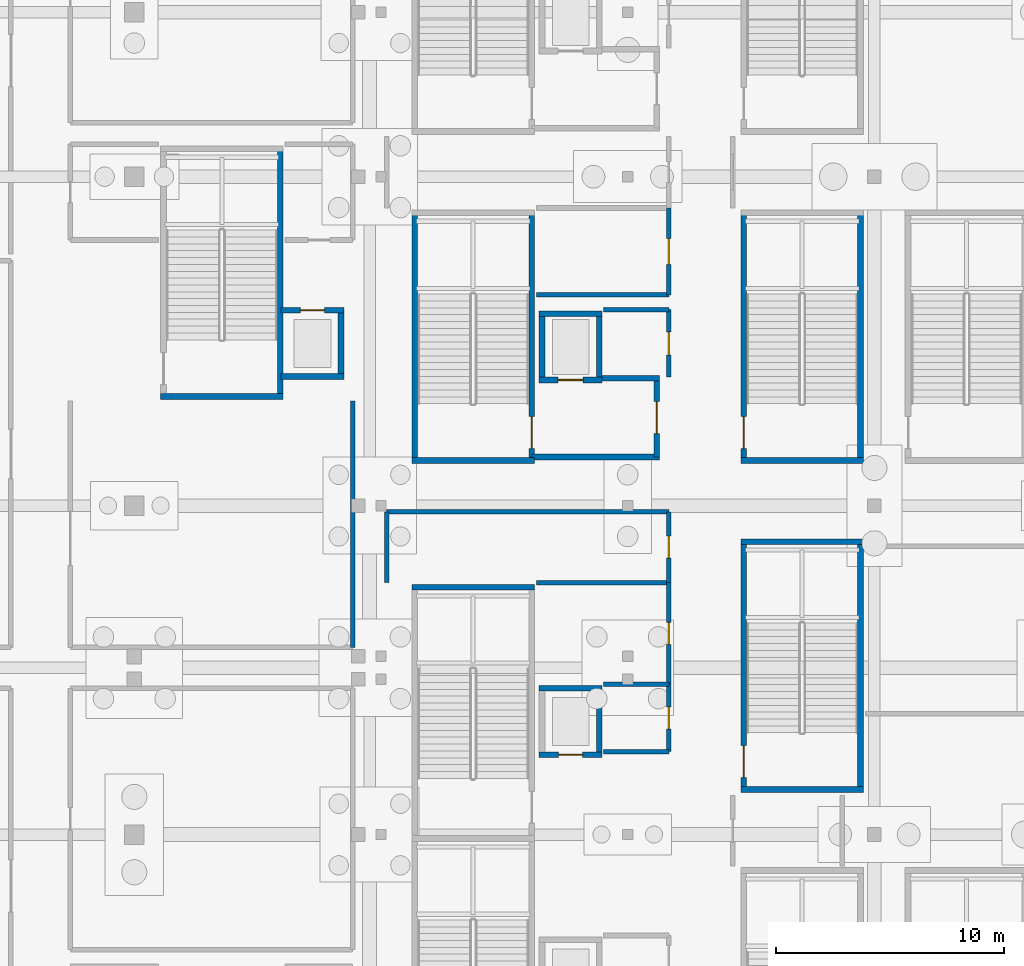
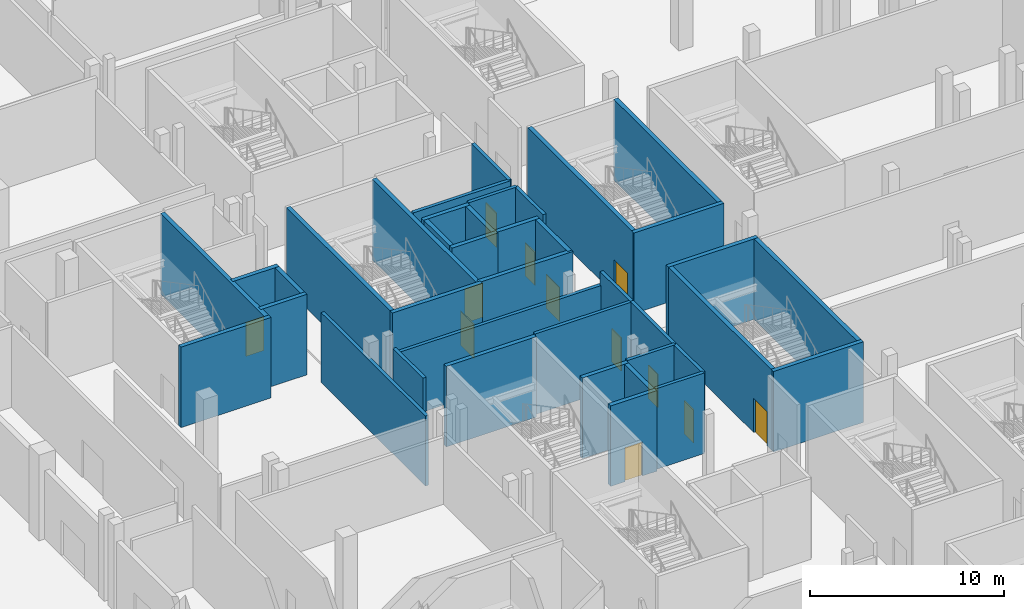
# One storey, part 36 of 89: 39 walls, 12 doors, 12 openings.
"""IFC4 building model written with IfcOpenShell, lengths in metres."""

from ifc_helpers import new_model, si_unit, direction, frame, frame_2d, origin, place, context, subcontext, project, spatial, rectangle, extrude, material, layer, layer_set, type_object, element, fill, save


model = new_model("IFC4")

# Units and contexts
model_context = context("Model", 3, precision=1e-05, world=origin(), true_north=direction((0.0, 1.0)))
body_context = subcontext(model_context, "Body", "Model", "MODEL_VIEW")
ifc_project = project(units=[si_unit("LENGTHUNIT", "METRE"), si_unit("AREAUNIT", "SQUARE_METRE"), si_unit("VOLUMEUNIT", "CUBIC_METRE"), si_unit("PLANEANGLEUNIT", "RADIAN"), si_unit("MASSUNIT", "GRAM", prefix="KILO")], contexts=[model_context])

# Site, building, storey
site_placement = place(None, origin())
site = spatial("IfcSite", under=ifc_project, at=site_placement, CompositionType="ELEMENT")
building_placement = place(site_placement, origin())
building = spatial("IfcBuilding", under=site, at=building_placement, Name="Koshinbarg Plaza Stadium", CompositionType="ELEMENT")
storey_placement = place(building_placement, origin())
storey = spatial("IfcBuildingStorey", under=building, at=storey_placement, Name="L00", CompositionType="ELEMENT", Elevation=0.0)

# Walls
ifc_material_1 = material(Name="Concrete C40/50", Category="concrete")
ifc_layer_1 = layer(ifc_material_1, 0.25)
ifc_layer_set_1 = layer_set([ifc_layer_1], Name="Concrete C40/50")
wall_type_1 = type_object("IfcWallType", Name="WL-CORE-250", PredefinedType="SHEAR", material=ifc_layer_set_1)
for number, where, z_axis, x_axis, name in (
    (1, (31.320068359375, 79.52490234375, 0.0), (0.0, 0.0, 1.0), (-1.0, 0.0, 0.0), "L00 core stair shear wall C04-far IWL-L00-0085"),
    (2, (25.949951171875, 85.074951171875, 0.0), (0.0, 0.0, 1.0), (1.0, 0.0, 0.0), "L00 core stair shear wall C05-near IWL-L00-0106"),
):
    element("IfcWall", number, at=place(storey_placement, frame(where, z_axis=z_axis, x_axis=x_axis)), inside=storey, type_object=wall_type_1, Name=name, PredefinedType="SHEAR", context=body_context, shape_type="SweptSolid", body=[
        extrude(rectangle(XDim=5.3701171875, YDim=0.25, at=frame_2d((2.68505859375, 0.0))), origin(), (0.0, 0.0, 1.0), 5.080078125),
    ])
wall_1_placement = place(storey_placement, frame((26.074951171875, 85.074951171875, 0.0), z_axis=(0.0, 0.0, 1.0), x_axis=(0.0, 1.0, 0.0)))
element("IfcWall", 3, at=wall_1_placement, inside=storey, type_object=wall_type_1, Name="L00 core stair shear wall C05-left IWL-L00-0108", PredefinedType="SHEAR", context=body_context, shape_type="SweptSolid", body=[
    extrude(rectangle(XDim=10.85009765625, YDim=0.25, at=frame_2d((5.425048828125, 0.0))), origin(), (0.0, 0.0, 1.0), 5.080078125),
])

# Wall, opening, door
wall_2_placement = place(storey_placement, frame((31.195068359375, 85.074951171875, 0.0), z_axis=(0.0, 0.0, 1.0), x_axis=(0.0, 1.0, 0.0)))
wall_2 = element("IfcWall", 4, at=wall_2_placement, inside=storey, type_object=wall_type_1, Name="L00 core stair shear wall C05-right IWL-L00-0109", PredefinedType="SHEAR", context=body_context, shape_type="SweptSolid", body=[
    extrude(rectangle(XDim=10.85009765625, YDim=0.25, at=frame_2d((5.425048828125, 0.0))), origin(), (0.0, 0.0, 1.0), 5.080078125),
])
opening_1_placement = place(wall_2_placement, frame((0.52001953125, 0.0, 0.0)))
opening_1 = element("IfcOpeningElement", 5, at=opening_1_placement, cuts=wall_2, Name="Opening D-0089", PredefinedType="OPENING", context=body_context, shape_type="SweptSolid", body=[
    extrude(rectangle(XDim=1.39990234375, YDim=2.14990234375, at=frame_2d((0.699951171875, 1.074951171875))), frame((0.0, 0.135009765625, 0.0), z_axis=(0.0, -1.0, 0.0), x_axis=(1.0, 0.0, 0.0)), (0.0, 0.0, 1.0), 0.27001953125),
])
ifc_material_2 = material(Name="Painted galvanized steel fire door", Category="steel")
door_type_1 = type_object("IfcDoorType", Name="DR-STAIR-1400", OperationType="NOTDEFINED", PredefinedType="DOOR", material=ifc_material_2)
door_1_placement = place(opening_1_placement, frame((1.39990234375, 0.0, 0.0), z_axis=(0.0, 0.0, 1.0), x_axis=(-1.0, 0.0, 0.0)))
door_1 = element("IfcDoor", 6, at=door_1_placement, inside=storey, type_object=door_type_1, Name="L00 exit stair door C05", OperationType="SINGLE_SWING_LEFT", OverallHeight=2.14990234375, OverallWidth=1.39990234375, PredefinedType="DOOR", context=body_context, shape_type="SweptSolid", body=[
    extrude(rectangle(XDim=1.39990234375, YDim=2.14990234375, at=frame_2d((0.699951171875, 1.074951171875))), frame((0.0, 0.02490234375, 0.0), z_axis=(0.0, -1.0, 0.0), x_axis=(1.0, 0.0, 0.0)), (0.0, 0.0, 1.0), 0.050048828125),
])
fill(opening_1, door_1)

# Walls
wall_3_placement = place(storey_placement, frame((14.949951171875, 87.875, 0.0), z_axis=(0.0, 0.0, 1.0), x_axis=(1.0, 0.0, 0.0)))
element("IfcWall", 7, at=wall_3_placement, inside=storey, type_object=wall_type_1, Name="L00 core stair shear wall C15-near IWL-L00-0330", PredefinedType="SHEAR", context=body_context, shape_type="SweptSolid", body=[
    extrude(rectangle(XDim=5.3701171875, YDim=0.25, at=frame_2d((2.68505859375, 0.0))), origin(), (0.0, 0.0, 1.0), 5.080078125),
])
wall_4_placement = place(storey_placement, frame((20.195068359375, 87.875, 0.0), z_axis=(0.0, 0.0, 1.0), x_axis=(0.0, 1.0, 0.0)))
element("IfcWall", 8, at=wall_4_placement, inside=storey, type_object=wall_type_1, Name="L00 core stair shear wall C15-right IWL-L00-0333", PredefinedType="SHEAR", context=body_context, shape_type="SweptSolid", body=[
    extrude(rectangle(XDim=10.85009765625, YDim=0.25, at=frame_2d((5.425048828125, 0.0))), origin(), (0.0, 0.0, 1.0), 5.080078125),
])
for number, where, z_axis, x_axis, name in (
    (9, (40.35009765625, 70.675048828125, 0.0), (0.0, 0.0, 1.0), (1.0, 0.0, 0.0), "L00 vomitory stair shear wall VX04-near IWL-L00-0402"),
    (10, (45.719970703125, 81.52490234375, 0.0), (0.0, 0.0, 1.0), (-1.0, 0.0, 0.0), "L00 vomitory stair shear wall VX04-far IWL-L00-0403"),
):
    element("IfcWall", number, at=place(storey_placement, frame(where, z_axis=z_axis, x_axis=x_axis)), inside=storey, type_object=wall_type_1, Name=name, PredefinedType="SHEAR", context=body_context, shape_type="SweptSolid", body=[
        extrude(rectangle(XDim=5.369873046875, YDim=0.25, at=frame_2d((2.68505859375, 0.0))), origin(), (0.0, 0.0, 1.0), 5.080078125),
    ])

# Wall, opening, door
wall_5_placement = place(storey_placement, frame((40.47509765625, 70.675048828125, 0.0), z_axis=(0.0, 0.0, 1.0), x_axis=(0.0, 1.0, 0.0)))
wall_5 = element("IfcWall", 11, at=wall_5_placement, inside=storey, type_object=wall_type_1, Name="L00 vomitory stair shear wall VX04-left IWL-L00-0404", PredefinedType="SHEAR", context=body_context, shape_type="SweptSolid", body=[
    extrude(rectangle(XDim=10.849853515625, YDim=0.25, at=frame_2d((5.4248046875, 0.0))), origin(), (0.0, 0.0, 1.0), 5.080078125),
])
opening_2_placement = place(wall_5_placement, frame((0.52001953125, 0.0, 0.0)))
opening_2 = element("IfcOpeningElement", 12, at=opening_2_placement, cuts=wall_5, Name="Opening D-0163", PredefinedType="OPENING", context=body_context, shape_type="SweptSolid", body=[
    extrude(rectangle(XDim=1.39990234375, YDim=2.14990234375, at=frame_2d((0.699951171875, 1.074951171875))), frame((0.0, 0.135009765625, 0.0), z_axis=(0.0, -1.0, 0.0), x_axis=(1.0, 0.0, 0.0)), (0.0, 0.0, 1.0), 0.27001953125),
])
door_2_placement = place(opening_2_placement, origin())
door_2 = element("IfcDoor", 13, at=door_2_placement, inside=storey, type_object=door_type_1, Name="L00 vomitory exit stair door VX04", OperationType="SINGLE_SWING_LEFT", OverallHeight=2.14990234375, OverallWidth=1.39990234375, PredefinedType="DOOR", context=body_context, shape_type="SweptSolid", body=[
    extrude(rectangle(XDim=1.39990234375, YDim=2.14990234375, at=frame_2d((0.699951171875, 1.074951171875))), frame((0.0, 0.02490234375, 0.0), z_axis=(0.0, -1.0, 0.0), x_axis=(1.0, 0.0, 0.0)), (0.0, 0.0, 1.0), 0.050048828125),
])
fill(opening_2, door_2)

# Walls
wall_6_placement = place(storey_placement, frame((45.594970703125, 70.675048828125, 0.0), z_axis=(0.0, 0.0, 1.0), x_axis=(0.0, 1.0, 0.0)))
element("IfcWall", 14, at=wall_6_placement, inside=storey, type_object=wall_type_1, Name="L00 vomitory stair shear wall VX04-right IWL-L00-0405", PredefinedType="SHEAR", context=body_context, shape_type="SweptSolid", body=[
    extrude(rectangle(XDim=10.849853515625, YDim=0.25, at=frame_2d((5.4248046875, 0.0))), origin(), (0.0, 0.0, 1.0), 5.080078125),
])
wall_7_placement = place(storey_placement, frame((40.35009765625, 85.074951171875, 0.0), z_axis=(0.0, 0.0, 1.0), x_axis=(1.0, 0.0, 0.0)))
element("IfcWall", 15, at=wall_7_placement, inside=storey, type_object=wall_type_1, Name="L00 vomitory stair shear wall VX05-near IWL-L00-0418", PredefinedType="SHEAR", context=body_context, shape_type="SweptSolid", body=[
    extrude(rectangle(XDim=5.369873046875, YDim=0.25, at=frame_2d((2.68505859375, 0.0))), origin(), (0.0, 0.0, 1.0), 5.080078125),
])

# Wall, opening, door
wall_8_placement = place(storey_placement, frame((40.47509765625, 85.074951171875, 0.0), z_axis=(0.0, 0.0, 1.0), x_axis=(0.0, 1.0, 0.0)))
wall_8 = element("IfcWall", 16, at=wall_8_placement, inside=storey, type_object=wall_type_1, Name="L00 vomitory stair shear wall VX05-left IWL-L00-0420", PredefinedType="SHEAR", context=body_context, shape_type="SweptSolid", body=[
    extrude(rectangle(XDim=10.85009765625, YDim=0.25, at=frame_2d((5.425048828125, 0.0))), origin(), (0.0, 0.0, 1.0), 5.080078125),
])
opening_3_placement = place(wall_8_placement, frame((0.52001953125, 0.0, 0.0)))
opening_3 = element("IfcOpeningElement", 17, at=opening_3_placement, cuts=wall_8, Name="Opening D-0167", PredefinedType="OPENING", context=body_context, shape_type="SweptSolid", body=[
    extrude(rectangle(XDim=1.39990234375, YDim=2.14990234375, at=frame_2d((0.699951171875, 1.074951171875))), frame((0.0, 0.135009765625, 0.0), z_axis=(0.0, -1.0, 0.0), x_axis=(1.0, 0.0, 0.0)), (0.0, 0.0, 1.0), 0.27001953125),
])
door_3_placement = place(opening_3_placement, origin())
door_3 = element("IfcDoor", 18, at=door_3_placement, inside=storey, type_object=door_type_1, Name="L00 vomitory exit stair door VX05", OperationType="SINGLE_SWING_RIGHT", OverallHeight=2.14990234375, OverallWidth=1.39990234375, PredefinedType="DOOR", context=body_context, shape_type="SweptSolid", body=[
    extrude(rectangle(XDim=1.39990234375, YDim=2.14990234375, at=frame_2d((0.699951171875, 1.074951171875))), frame((0.0, 0.02490234375, 0.0), z_axis=(0.0, -1.0, 0.0), x_axis=(1.0, 0.0, 0.0)), (0.0, 0.0, 1.0), 0.050048828125),
])
fill(opening_3, door_3)

# Wall
wall_9_placement = place(storey_placement, frame((45.594970703125, 85.074951171875, 0.0), z_axis=(0.0, 0.0, 1.0), x_axis=(0.0, 1.0, 0.0)))
element("IfcWall", 19, at=wall_9_placement, inside=storey, type_object=wall_type_1, Name="L00 vomitory stair shear wall VX05-right IWL-L00-0421", PredefinedType="SHEAR", context=body_context, shape_type="SweptSolid", body=[
    extrude(rectangle(XDim=10.85009765625, YDim=0.25, at=frame_2d((5.425048828125, 0.0))), origin(), (0.0, 0.0, 1.0), 5.080078125),
])

# Wall, opening, door
wall_10_placement = place(storey_placement, frame((31.52490234375, 72.199951171875, 0.0), z_axis=(0.0, 0.0, 1.0), x_axis=(1.0, 0.0, 0.0)))
wall_10 = element("IfcWall", 20, at=wall_10_placement, inside=storey, type_object=wall_type_1, Name="L00 lift shaft shear wall LP02-S IWL-L00-0736", PredefinedType="SHEAR", context=body_context, shape_type="SweptSolid", body=[
    extrude(rectangle(XDim=2.75, YDim=0.25, at=frame_2d((1.375, 0.0))), origin(), (0.0, 0.0, 1.0), 5.080078125),
])
opening_4_placement = place(wall_10_placement, frame((0.85009765625, 0.0, 0.0)))
opening_4 = element("IfcOpeningElement", 21, at=opening_4_placement, cuts=wall_10, Name="Opening D-0250", PredefinedType="OPENING", context=body_context, shape_type="SweptSolid", body=[
    extrude(rectangle(XDim=1.050048828125, YDim=2.14990234375, at=frame_2d((0.52490234375, 1.074951171875))), frame((0.0, 0.135009765625, 0.0), z_axis=(0.0, -1.0, 0.0), x_axis=(1.0, 0.0, 0.0)), (0.0, 0.0, 1.0), 0.27001953125),
])
ifc_material_3 = material(Name="Brushed stainless steel sliding lift landing door", Category="steel")
door_type_2 = type_object("IfcDoorType", Name="DR-LIFT-1050", OperationType="NOTDEFINED", PredefinedType="DOOR", material=ifc_material_3)
door_4_placement = place(opening_4_placement, origin())
door_4 = element("IfcDoor", 22, at=door_4_placement, inside=storey, type_object=door_type_2, Name="L00 lift landing door LP02", OperationType="SLIDING_TO_LEFT", OverallHeight=2.14990234375, OverallWidth=1.050048828125, PredefinedType="DOOR", context=body_context, shape_type="SweptSolid", body=[
    extrude(rectangle(XDim=1.050048828125, YDim=2.14990234375, at=frame_2d((0.52490234375, 1.074951171875))), frame((0.0, 0.02490234375, 0.0), z_axis=(0.0, -1.0, 0.0), x_axis=(1.0, 0.0, 0.0)), (0.0, 0.0, 1.0), 0.050048828125),
])
fill(opening_4, door_4)

# Walls
wall_11_placement = place(storey_placement, frame((34.27490234375, 75.10009765625, 0.0), z_axis=(0.0, 0.0, 1.0), x_axis=(-1.0, 0.0, 0.0)))
element("IfcWall", 23, at=wall_11_placement, inside=storey, type_object=wall_type_1, Name="L00 lift shaft shear wall LP02-N IWL-L00-0737", PredefinedType="SHEAR", context=body_context, shape_type="SweptSolid", body=[
    extrude(rectangle(XDim=2.75, YDim=0.25, at=frame_2d((1.375, 0.0))), origin(), (0.0, 0.0, 1.0), 5.080078125),
])
wall_12_placement = place(storey_placement, frame((34.14990234375, 72.199951171875, 0.0), z_axis=(0.0, 0.0, 1.0), x_axis=(0.0, 1.0, 0.0)))
element("IfcWall", 24, at=wall_12_placement, inside=storey, type_object=wall_type_1, Name="L00 lift shaft shear wall LP02-E IWL-L00-0739", PredefinedType="SHEAR", context=body_context, shape_type="SweptSolid", body=[
    extrude(rectangle(XDim=2.900146484375, YDim=0.25, at=frame_2d((1.4501953125, 0.0))), origin(), (0.0, 0.0, 1.0), 5.080078125),
])

# Wall, opening, door
wall_13_placement = place(storey_placement, frame((31.52490234375, 88.60009765625, 0.0), z_axis=(0.0, 0.0, 1.0), x_axis=(1.0, 0.0, 0.0)))
wall_13 = element("IfcWall", 25, at=wall_13_placement, inside=storey, type_object=wall_type_1, Name="L00 lift shaft shear wall FL03-S IWL-L00-0764", PredefinedType="SHEAR", context=body_context, shape_type="SweptSolid", body=[
    extrude(rectangle(XDim=2.75, YDim=0.25, at=frame_2d((1.375, 0.0))), origin(), (0.0, 0.0, 1.0), 5.080078125),
])
opening_5_placement = place(wall_13_placement, frame((0.824951171875, 0.0, 0.0)))
opening_5 = element("IfcOpeningElement", 26, at=opening_5_placement, cuts=wall_13, Name="Opening D-0257", PredefinedType="OPENING", context=body_context, shape_type="SweptSolid", body=[
    extrude(rectangle(XDim=1.10009765625, YDim=2.14990234375, at=frame_2d((0.550048828125, 1.074951171875))), frame((0.0, 0.135009765625, 0.0), z_axis=(0.0, -1.0, 0.0), x_axis=(1.0, 0.0, 0.0)), (0.0, 0.0, 1.0), 0.27001953125),
])
door_type_3 = type_object("IfcDoorType", Name="DR-LIFT-1100", OperationType="NOTDEFINED", PredefinedType="DOOR", material=ifc_material_3)
door_5_placement = place(opening_5_placement, origin())
door_5 = element("IfcDoor", 27, at=door_5_placement, inside=storey, type_object=door_type_3, Name="L00 lift landing door FL03", OperationType="SLIDING_TO_RIGHT", OverallHeight=2.14990234375, OverallWidth=1.10009765625, PredefinedType="DOOR", context=body_context, shape_type="SweptSolid", body=[
    extrude(rectangle(XDim=1.10009765625, YDim=2.14990234375, at=frame_2d((0.550048828125, 1.074951171875))), frame((0.0, 0.02490234375, 0.0), z_axis=(0.0, -1.0, 0.0), x_axis=(1.0, 0.0, 0.0)), (0.0, 0.0, 1.0), 0.050048828125),
])
fill(opening_5, door_5)

# Walls
wall_14_placement = place(storey_placement, frame((34.27490234375, 91.5, 0.0), z_axis=(0.0, 0.0, 1.0), x_axis=(-1.0, 0.0, 0.0)))
element("IfcWall", 28, at=wall_14_placement, inside=storey, type_object=wall_type_1, Name="L00 lift shaft shear wall FL03-N IWL-L00-0765", PredefinedType="SHEAR", context=body_context, shape_type="SweptSolid", body=[
    extrude(rectangle(XDim=2.75, YDim=0.25, at=frame_2d((1.375, 0.0))), origin(), (0.0, 0.0, 1.0), 5.080078125),
])
for number, where, z_axis, x_axis, name in (
    (29, (31.64990234375, 91.5, 0.0), (0.0, 0.0, 1.0), (0.0, -1.0, 0.0), "L00 lift shaft shear wall FL03-W IWL-L00-0766"),
    (30, (34.14990234375, 88.60009765625, 0.0), (0.0, 0.0, 1.0), (0.0, 1.0, 0.0), "L00 lift shaft shear wall FL03-E IWL-L00-0767"),
):
    element("IfcWall", number, at=place(storey_placement, frame(where, z_axis=z_axis, x_axis=x_axis)), inside=storey, type_object=wall_type_1, Name=name, PredefinedType="SHEAR", context=body_context, shape_type="SweptSolid", body=[
        extrude(rectangle(XDim=2.89990234375, YDim=0.25, at=frame_2d((1.449951171875, 0.0))), origin(), (0.0, 0.0, 1.0), 5.080078125),
    ])

# Wall, opening, door
wall_15_placement = place(storey_placement, frame((36.675048828125, 85.22509765625, 0.0), z_axis=(0.0, 0.0, 1.0), x_axis=(0.0, 1.0, 0.0)))
wall_15 = element("IfcWall", 31, at=wall_15_placement, inside=storey, type_object=wall_type_1, Name="L00 firefighting lobby wall C05-E IWL-L00-0768", PredefinedType="SHEAR", context=body_context, shape_type="SweptSolid", body=[
    extrude(rectangle(XDim=3.449951171875, YDim=0.25, at=frame_2d((1.72509765625, 0.0))), origin(), (0.0, 0.0, 1.0), 5.080078125),
])
opening_6_placement = place(wall_15_placement, frame((1.02490234375, 0.0, 0.0)))
opening_6 = element("IfcOpeningElement", 32, at=opening_6_placement, cuts=wall_15, Name="Opening D-0258", PredefinedType="OPENING", context=body_context, shape_type="SweptSolid", body=[
    extrude(rectangle(XDim=1.39990234375, YDim=2.14990234375, at=frame_2d((0.699951171875, 1.074951171875))), frame((0.0, 0.135009765625, 0.0), z_axis=(0.0, -1.0, 0.0), x_axis=(1.0, 0.0, 0.0)), (0.0, 0.0, 1.0), 0.27001953125),
])
ifc_material_4 = material(Name="Smoke-sealed steel firefighting lobby door", Category="steel")
door_type_4 = type_object("IfcDoorType", Name="DR-FFLOB-1400", OperationType="NOTDEFINED", PredefinedType="DOOR", material=ifc_material_4)
door_6_placement = place(opening_6_placement, origin())
door_6 = element("IfcDoor", 33, at=door_6_placement, inside=storey, type_object=door_type_4, Name="L00 firefighting lobby fire door C05", OperationType="DOUBLE_DOOR_SINGLE_SWING", OverallHeight=2.14990234375, OverallWidth=1.39990234375, PredefinedType="DOOR", context=body_context, shape_type="SweptSolid", body=[
    extrude(rectangle(XDim=1.39990234375, YDim=2.14990234375, at=frame_2d((0.699951171875, 1.074951171875))), frame((0.0, 0.02490234375, 0.0), z_axis=(0.0, -1.0, 0.0), x_axis=(1.0, 0.0, 0.0)), (0.0, 0.0, 1.0), 0.050048828125),
])
fill(opening_6, door_6)

# Walls
wall_16_placement = place(storey_placement, frame((34.27490234375, 88.675048828125, 0.0), z_axis=(0.0, 0.0, 1.0), x_axis=(1.0, 0.0, 0.0)))
element("IfcWall", 34, at=wall_16_placement, inside=storey, type_object=wall_type_1, Name="L00 firefighting lobby wall C05-NE IWL-L00-0769", PredefinedType="SHEAR", context=body_context, shape_type="SweptSolid", body=[
    extrude(rectangle(XDim=2.525146484375, YDim=0.25, at=frame_2d((1.2626953125, 0.0))), origin(), (0.0, 0.0, 1.0), 5.080078125),
])
wall_17_placement = place(storey_placement, frame((31.199951171875, 85.22509765625, 0.0), z_axis=(0.0, 0.0, 1.0), x_axis=(1.0, 0.0, 0.0)))
element("IfcWall", 35, at=wall_17_placement, inside=storey, type_object=wall_type_1, Name="L00 firefighting lobby wall C05-S IWL-L00-0770", PredefinedType="SHEAR", context=body_context, shape_type="SweptSolid", body=[
    extrude(rectangle(XDim=5.60009765625, YDim=0.25, at=frame_2d((2.800048828125, 0.0))), origin(), (0.0, 0.0, 1.0), 5.080078125),
])
wall_18_placement = place(storey_placement, frame((20.22509765625, 88.75, 0.0), z_axis=(0.0, 0.0, 1.0), x_axis=(1.0, 0.0, 0.0)))
element("IfcWall", 36, at=wall_18_placement, inside=storey, type_object=wall_type_1, Name="L00 lift shaft shear wall LP11-S IWL-L00-1030", PredefinedType="SHEAR", context=body_context, shape_type="SweptSolid", body=[
    extrude(rectangle(XDim=2.75, YDim=0.25, at=frame_2d((1.375, 0.0))), origin(), (0.0, 0.0, 1.0), 5.080078125),
])

# Wall, opening, door
wall_19_placement = place(storey_placement, frame((22.97509765625, 91.64990234375, 0.0), z_axis=(0.0, 0.0, 1.0), x_axis=(-1.0, 0.0, 0.0)))
wall_19 = element("IfcWall", 37, at=wall_19_placement, inside=storey, type_object=wall_type_1, Name="L00 lift shaft shear wall LP11-N IWL-L00-1031", PredefinedType="SHEAR", context=body_context, shape_type="SweptSolid", body=[
    extrude(rectangle(XDim=2.75, YDim=0.25, at=frame_2d((1.375, 0.0))), origin(), (0.0, 0.0, 1.0), 5.080078125),
])
opening_7_placement = place(wall_19_placement, frame((0.85009765625, 0.0, 0.0)))
opening_7 = element("IfcOpeningElement", 38, at=opening_7_placement, cuts=wall_19, Name="Opening D-0327", PredefinedType="OPENING", context=body_context, shape_type="SweptSolid", body=[
    extrude(rectangle(XDim=1.050048828125, YDim=2.14990234375, at=frame_2d((0.52490234375, 1.074951171875))), frame((0.0, 0.135009765625, 0.0), z_axis=(0.0, -1.0, 0.0), x_axis=(1.0, 0.0, 0.0)), (0.0, 0.0, 1.0), 0.27001953125),
])
door_7_placement = place(opening_7_placement, origin())
door_7 = element("IfcDoor", 39, at=door_7_placement, inside=storey, type_object=door_type_2, Name="L00 lift landing door LP11", OperationType="SLIDING_TO_RIGHT", OverallHeight=2.14990234375, OverallWidth=1.050048828125, PredefinedType="DOOR", context=body_context, shape_type="SweptSolid", body=[
    extrude(rectangle(XDim=1.050048828125, YDim=2.14990234375, at=frame_2d((0.52490234375, 1.074951171875))), frame((0.0, 0.02490234375, 0.0), z_axis=(0.0, -1.0, 0.0), x_axis=(1.0, 0.0, 0.0)), (0.0, 0.0, 1.0), 0.050048828125),
])
fill(opening_7, door_7)

# Wall
wall_20_placement = place(storey_placement, frame((22.85009765625, 88.75, 0.0), z_axis=(0.0, 0.0, 1.0), x_axis=(0.0, 1.0, 0.0)))
element("IfcWall", 40, at=wall_20_placement, inside=storey, type_object=wall_type_1, Name="L00 lift shaft shear wall LP11-E IWL-L00-1032", PredefinedType="SHEAR", context=body_context, shape_type="SweptSolid", body=[
    extrude(rectangle(XDim=2.89990234375, YDim=0.25, at=frame_2d((1.449951171875, 0.0))), origin(), (0.0, 0.0, 1.0), 5.080078125),
])

# Wall, opening, door
ifc_material_5 = material(Name="Autoclaved aerated blockwork fire partition", Category="masonry")
ifc_layer_2 = layer(ifc_material_5, 0.199951171875)
ifc_layer_set_2 = layer_set([ifc_layer_2], Name="Autoclaved aerated blockwork fire partition")
wall_type_2 = type_object("IfcWallType", Name="WL-PART-200", PredefinedType="PARTITIONING", material=ifc_layer_set_2)
wall_21_placement = place(storey_placement, frame((37.199951171875, 79.72998046875, 0.0), z_axis=(0.0, 0.0, 1.0), x_axis=(0.0, 1.0, 0.0)))
wall_21 = element("IfcWall", 41, at=wall_21_placement, inside=storey, type_object=wall_type_2, Name="L00 interior partition L00-79-east IWL-L00-1087", PredefinedType="PARTITIONING", context=body_context, shape_type="SweptSolid", body=[
    extrude(rectangle(XDim=3.10009765625, YDim=0.199951171875, at=frame_2d((1.550048828125, 0.0))), origin(), (0.0, 0.0, 1.0), 5.080078125),
])
opening_8_placement = place(wall_21_placement, frame((1.070068359375, 0.0, 0.0)))
opening_8 = element("IfcOpeningElement", 42, at=opening_8_placement, cuts=wall_21, Name="Opening D-0348", PredefinedType="OPENING", context=body_context, shape_type="SweptSolid", body=[
    extrude(rectangle(XDim=0.9599609375, YDim=2.10009765625, at=frame_2d((0.47998046875, 1.050048828125))), frame((0.0, 0.10986328125, 0.0), z_axis=(0.0, -1.0, 0.0), x_axis=(1.0, 0.0, 0.0)), (0.0, 0.0, 1.0), 0.219970703125),
])
ifc_material_6 = material(Name="Solid-core oak veneer acoustic door")
door_type_5 = type_object("IfcDoorType", Name="DR-INT-0960x2100", OperationType="NOTDEFINED", PredefinedType="DOOR", material=ifc_material_6)
door_8_placement = place(opening_8_placement, origin())
door_8 = element("IfcDoor", 43, at=door_8_placement, inside=storey, type_object=door_type_5, Name="L00 Medical and Doping Control Room door D-0348", OperationType="SINGLE_SWING_RIGHT", OverallHeight=2.10009765625, OverallWidth=0.9599609375, PredefinedType="DOOR", context=body_context, shape_type="SweptSolid", body=[
    extrude(rectangle(XDim=0.9599609375, YDim=2.10009765625, at=frame_2d((0.47998046875, 1.050048828125))), frame((0.0, 0.02490234375, 0.0), z_axis=(0.0, -1.0, 0.0), x_axis=(1.0, 0.0, 0.0)), (0.0, 0.0, 1.0), 0.050048828125),
])
fill(opening_8, door_8)

# Walls
wall_22_placement = place(storey_placement, frame((37.199951171875, 82.830078125, 0.0), z_axis=(0.0, 0.0, 1.0), x_axis=(-1.0, 0.0, 0.0)))
element("IfcWall", 44, at=wall_22_placement, inside=storey, type_object=wall_type_2, Name="L00 interior partition L00-79-north IWL-L00-1088", PredefinedType="PARTITIONING", context=body_context, shape_type="SweptSolid", body=[
    extrude(rectangle(XDim=12.35498046875, YDim=0.199951171875, at=frame_2d((6.177490234375, 0.0))), origin(), (0.0, 0.0, 1.0), 4.260009765625),
])
wall_23_placement = place(storey_placement, frame((24.844970703125, 82.830078125, 0.0), z_axis=(0.0, 0.0, 1.0), x_axis=(0.0, -1.0, 0.0)))
element("IfcWall", 45, at=wall_23_placement, inside=storey, type_object=wall_type_2, Name="L00 interior partition L00-79-west IWL-L00-1089", PredefinedType="PARTITIONING", context=body_context, shape_type="SweptSolid", body=[
    extrude(rectangle(XDim=3.10009765625, YDim=0.199951171875, at=frame_2d((1.550048828125, 0.0))), origin(), (0.0, 0.0, 1.0), 4.56005859375),
])

# Wall, opening, door
wall_24_placement = place(storey_placement, frame((37.199951171875, 75.280029296875, 0.0), z_axis=(0.0, 0.0, 1.0), x_axis=(0.0, 1.0, 0.0)))
wall_24 = element("IfcWall", 46, at=wall_24_placement, inside=storey, type_object=wall_type_2, Name="L00 interior partition L00-80-east IWL-L00-1090", PredefinedType="PARTITIONING", context=body_context, shape_type="SweptSolid", body=[
    extrude(rectangle(XDim=4.449951171875, YDim=0.199951171875, at=frame_2d((2.22509765625, 0.0))), origin(), (0.0, 0.0, 1.0), 5.080078125),
])
opening_9_placement = place(wall_24_placement, frame((1.7451171875, 0.0, 0.0)))
opening_9 = element("IfcOpeningElement", 47, at=opening_9_placement, cuts=wall_24, Name="Opening D-0349", PredefinedType="OPENING", context=body_context, shape_type="SweptSolid", body=[
    extrude(rectangle(XDim=0.9599609375, YDim=2.10009765625, at=frame_2d((0.47998046875, 1.050048828125))), frame((0.0, 0.10986328125, 0.0), z_axis=(0.0, -1.0, 0.0), x_axis=(1.0, 0.0, 0.0)), (0.0, 0.0, 1.0), 0.219970703125),
])
door_9_placement = place(opening_9_placement, origin())
door_9 = element("IfcDoor", 48, at=door_9_placement, inside=storey, type_object=door_type_5, Name="L00 Media Welcome Salon door D-0349", OperationType="SINGLE_SWING_LEFT", OverallHeight=2.10009765625, OverallWidth=0.9599609375, PredefinedType="DOOR", context=body_context, shape_type="SweptSolid", body=[
    extrude(rectangle(XDim=0.9599609375, YDim=2.10009765625, at=frame_2d((0.47998046875, 1.050048828125))), frame((0.0, 0.02490234375, 0.0), z_axis=(0.0, -1.0, 0.0), x_axis=(1.0, 0.0, 0.0)), (0.0, 0.0, 1.0), 0.050048828125),
])
fill(opening_9, door_9)

# Walls
wall_25_placement = place(storey_placement, frame((37.199951171875, 79.72998046875, 0.0), z_axis=(0.0, 0.0, 1.0), x_axis=(-1.0, 0.0, 0.0)))
element("IfcWall", 49, at=wall_25_placement, inside=storey, type_object=wall_type_2, Name="L00 interior partition L00-80-north IWL-L00-1091", PredefinedType="PARTITIONING", context=body_context, shape_type="SweptSolid", body=[
    extrude(rectangle(XDim=5.800048828125, YDim=0.199951171875, at=frame_2d((2.89990234375, 0.0))), origin(), (0.0, 0.0, 1.0), 5.080078125),
])
wall_26_placement = place(storey_placement, frame((34.330078125, 72.330078125, 0.0), z_axis=(0.0, 0.0, 1.0), x_axis=(1.0, 0.0, 0.0)))
element("IfcWall", 50, at=wall_26_placement, inside=storey, type_object=wall_type_2, Name="L00 interior partition L00-81-south IWL-L00-1092", PredefinedType="PARTITIONING", context=body_context, shape_type="SweptSolid", body=[
    extrude(rectangle(XDim=2.869873046875, YDim=0.199951171875, at=frame_2d((1.43505859375, 0.0))), origin(), (0.0, 0.0, 1.0), 5.080078125),
])

# Wall, opening, door
wall_27_placement = place(storey_placement, frame((37.199951171875, 72.330078125, 0.0), z_axis=(0.0, 0.0, 1.0), x_axis=(0.0, 1.0, 0.0)))
wall_27 = element("IfcWall", 51, at=wall_27_placement, inside=storey, type_object=wall_type_2, Name="L00 interior partition L00-81-east IWL-L00-1093", PredefinedType="PARTITIONING", context=body_context, shape_type="SweptSolid", body=[
    extrude(rectangle(XDim=2.949951171875, YDim=0.199951171875, at=frame_2d((1.47509765625, 0.0))), origin(), (0.0, 0.0, 1.0), 5.080078125),
])
opening_10_placement = place(wall_27_placement, frame((0.9951171875, 0.0, 0.0)))
opening_10 = element("IfcOpeningElement", 52, at=opening_10_placement, cuts=wall_27, Name="Opening D-0350", PredefinedType="OPENING", context=body_context, shape_type="SweptSolid", body=[
    extrude(rectangle(XDim=0.9599609375, YDim=2.10009765625, at=frame_2d((0.47998046875, 1.050048828125))), frame((0.0, 0.10986328125, 0.0), z_axis=(0.0, -1.0, 0.0), x_axis=(1.0, 0.0, 0.0)), (0.0, 0.0, 1.0), 0.219970703125),
])
door_10_placement = place(opening_10_placement, origin())
door_10 = element("IfcDoor", 53, at=door_10_placement, inside=storey, type_object=door_type_5, Name="L00 VIP Hospitality Lounge door D-0350", OperationType="SINGLE_SWING_RIGHT", OverallHeight=2.10009765625, OverallWidth=0.9599609375, PredefinedType="DOOR", context=body_context, shape_type="SweptSolid", body=[
    extrude(rectangle(XDim=0.9599609375, YDim=2.10009765625, at=frame_2d((0.47998046875, 1.050048828125))), frame((0.0, 0.02490234375, 0.0), z_axis=(0.0, -1.0, 0.0), x_axis=(1.0, 0.0, 0.0)), (0.0, 0.0, 1.0), 0.050048828125),
])
fill(opening_10, door_10)

# Wall
wall_28_placement = place(storey_placement, frame((37.199951171875, 75.280029296875, 0.0), z_axis=(0.0, 0.0, 1.0), x_axis=(-1.0, 0.0, 0.0)))
element("IfcWall", 54, at=wall_28_placement, inside=storey, type_object=wall_type_2, Name="L00 interior partition L00-81-north IWL-L00-1094", PredefinedType="PARTITIONING", context=body_context, shape_type="SweptSolid", body=[
    extrude(rectangle(XDim=2.869873046875, YDim=0.199951171875, at=frame_2d((1.43505859375, 0.0))), origin(), (0.0, 0.0, 1.0), 5.080078125),
])

# Wall, opening, door
wall_29_placement = place(storey_placement, frame((37.199951171875, 88.72998046875, 0.0), z_axis=(0.0, 0.0, 1.0), x_axis=(0.0, 1.0, 0.0)))
wall_29 = element("IfcWall", 55, at=wall_29_placement, inside=storey, type_object=wall_type_2, Name="L00 interior partition L00-84-east IWL-L00-1101", PredefinedType="PARTITIONING", context=body_context, shape_type="SweptSolid", body=[
    extrude(rectangle(XDim=2.949951171875, YDim=0.199951171875, at=frame_2d((1.47509765625, 0.0))), origin(), (0.0, 0.0, 1.0), 5.080078125),
])
opening_11_placement = place(wall_29_placement, frame((0.97509765625, 0.0, 0.0)))
opening_11 = element("IfcOpeningElement", 56, at=opening_11_placement, cuts=wall_29, Name="Opening D-0353", PredefinedType="OPENING", context=body_context, shape_type="SweptSolid", body=[
    extrude(rectangle(XDim=1.0, YDim=2.10009765625, at=frame_2d((0.5, 1.050048828125))), frame((0.0, 0.10986328125, 0.0), z_axis=(0.0, -1.0, 0.0), x_axis=(1.0, 0.0, 0.0)), (0.0, 0.0, 1.0), 0.219970703125),
])
ifc_material_7 = material(Name="Solid-core laminate accessible WC door")
door_type_6 = type_object("IfcDoorType", Name="DR-INT-1000x2100", OperationType="NOTDEFINED", PredefinedType="DOOR", material=ifc_material_7)
door_11_placement = place(opening_11_placement, origin())
door_11 = element("IfcDoor", 57, at=door_11_placement, inside=storey, type_object=door_type_6, Name="L00 Media Welcome Salon door D-0353", OperationType="SINGLE_SWING_LEFT", OverallHeight=2.10009765625, OverallWidth=1.0, PredefinedType="DOOR", context=body_context, shape_type="SweptSolid", body=[
    extrude(rectangle(XDim=1.0, YDim=2.10009765625, at=frame_2d((0.5, 1.050048828125))), frame((0.0, 0.02490234375, 0.0), z_axis=(0.0, -1.0, 0.0), x_axis=(1.0, 0.0, 0.0)), (0.0, 0.0, 1.0), 0.050048828125),
])
fill(opening_11, door_11)

# Walls
wall_30_placement = place(storey_placement, frame((37.199951171875, 91.679931640625, 0.0), z_axis=(0.0, 0.0, 1.0), x_axis=(-1.0, 0.0, 0.0)))
element("IfcWall", 58, at=wall_30_placement, inside=storey, type_object=wall_type_2, Name="L00 interior partition L00-84-north IWL-L00-1102", PredefinedType="PARTITIONING", context=body_context, shape_type="SweptSolid", body=[
    extrude(rectangle(XDim=2.869873046875, YDim=0.199951171875, at=frame_2d((1.43505859375, 0.0))), origin(), (0.0, 0.0, 1.0), 5.080078125),
])
wall_31_placement = place(storey_placement, frame((31.39990234375, 92.323486328125, 0.0), z_axis=(0.0, 0.0, 1.0), x_axis=(1.0, 0.0, 0.0)))
element("IfcWall", 59, at=wall_31_placement, inside=storey, type_object=wall_type_2, Name="L00 interior partition L00-86-south IWL-L00-1105", PredefinedType="PARTITIONING", context=body_context, shape_type="SweptSolid", body=[
    extrude(rectangle(XDim=5.800048828125, YDim=0.199951171875, at=frame_2d((2.89990234375, 0.0))), origin(), (0.0, 0.0, 1.0), 5.080078125),
])

# Wall, opening, door
wall_32_placement = place(storey_placement, frame((37.199951171875, 92.323486328125, 0.0), z_axis=(0.0, 0.0, 1.0), x_axis=(0.0, 1.0, 0.0)))
wall_32 = element("IfcWall", 60, at=wall_32_placement, inside=storey, type_object=wall_type_2, Name="L00 interior partition L00-86-east IWL-L00-1106", PredefinedType="PARTITIONING", context=body_context, shape_type="SweptSolid", body=[
    extrude(rectangle(XDim=3.806396484375, YDim=0.199951171875, at=frame_2d((1.9033203125, 0.0))), origin(), (0.0, 0.0, 1.0), 5.080078125),
])
opening_12_placement = place(wall_32_placement, frame((1.34326171875, 0.0, 0.0)))
opening_12 = element("IfcOpeningElement", 61, at=opening_12_placement, cuts=wall_32, Name="Opening D-0355", PredefinedType="OPENING", context=body_context, shape_type="SweptSolid", body=[
    extrude(rectangle(XDim=1.1201171875, YDim=2.14990234375, at=frame_2d((0.56005859375, 1.074951171875))), frame((0.0, 0.10986328125, 0.0), z_axis=(0.0, -1.0, 0.0), x_axis=(1.0, 0.0, 0.0)), (0.0, 0.0, 1.0), 0.219970703125),
])
ifc_material_8 = material(Name="Acoustic timber broadcast studio door", Category="wood")
door_type_7 = type_object("IfcDoorType", Name="DR-INT-1120x2150", OperationType="NOTDEFINED", PredefinedType="DOOR", material=ifc_material_8)
door_12_placement = place(opening_12_placement, origin())
door_12 = element("IfcDoor", 62, at=door_12_placement, inside=storey, type_object=door_type_7, Name="L00 Main Entrance Concourse door D-0355", OperationType="SINGLE_SWING_LEFT", OverallHeight=2.14990234375, OverallWidth=1.1201171875, PredefinedType="DOOR", context=body_context, shape_type="SweptSolid", body=[
    extrude(rectangle(XDim=1.1201171875, YDim=2.14990234375, at=frame_2d((0.56005859375, 1.074951171875))), frame((0.0, 0.02490234375, 0.0), z_axis=(0.0, -1.0, 0.0), x_axis=(1.0, 0.0, 0.0)), (0.0, 0.0, 1.0), 0.050048828125),
])
fill(opening_12, door_12)

# Wall
wall_33_placement = place(storey_placement, frame((23.35498046875, 76.89501953125, 0.0), z_axis=(0.0, 0.0, 1.0), x_axis=(0.0, 1.0, 0.0)))
element("IfcWall", 63, at=wall_33_placement, inside=storey, type_object=wall_type_2, Name="L00 interior partition L00-149-east IWL-L00-1275", PredefinedType="PARTITIONING", context=body_context, shape_type="SweptSolid", body=[
    extrude(rectangle(XDim=10.77490234375, YDim=0.199951171875, at=frame_2d((5.387451171875, 0.0))), origin(), (0.0, 0.0, 1.0), 4.409912109375),
])

save(model, "model.ifc")
